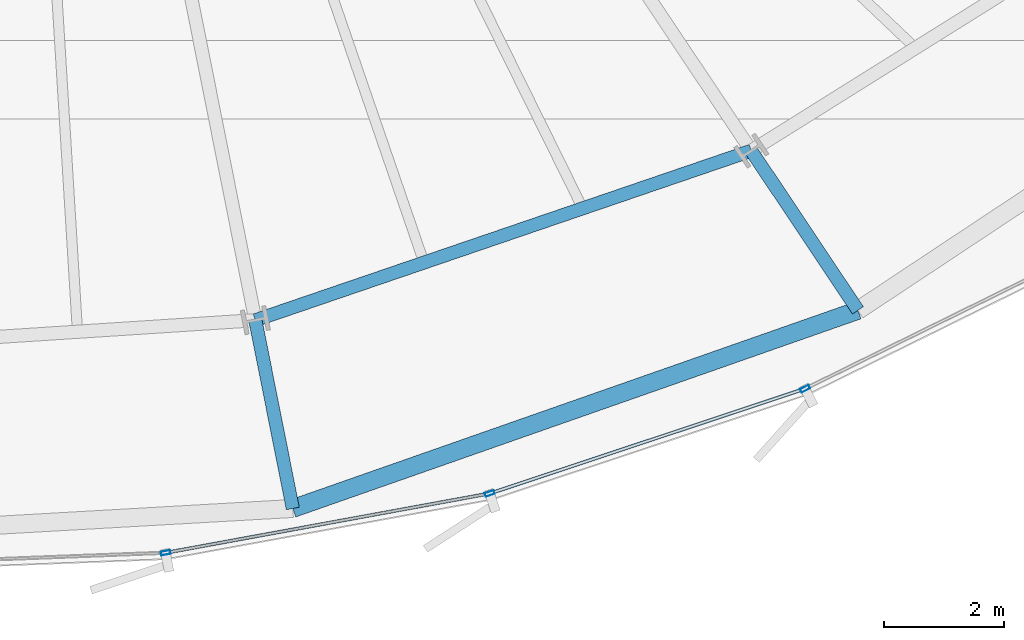
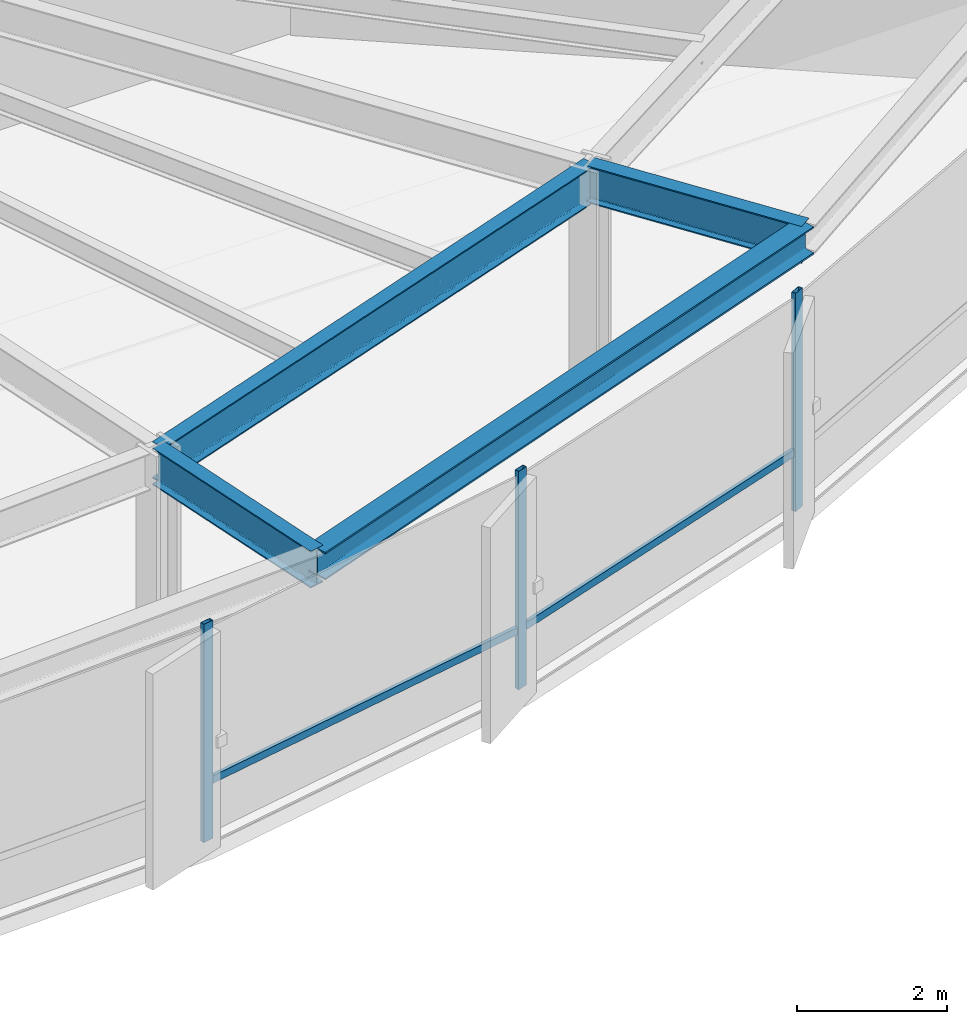
# One storey, part 11 of 37: 5 members, 4 beams, 1 element without a shape of its own.
"""IFC4 building model written with IfcOpenShell, lengths in metres."""

from ifc_helpers import new_model, si_unit, direction, frame, origin, origin_2d, place, context, subcontext, project, spatial, hollow_rectangle, i_section, extrude, source, transform, mapped, material, layer, layer_set, material_profile, profile_set, type_object, element, aggregate, save


model = new_model("IFC4")

# Units and contexts
model_context = context("Model", 3, precision=1e-05, world=origin(), true_north=direction((0.0, 1.0)))
body_context = subcontext(model_context, "Body", "Model", "MODEL_VIEW")
ifc_project = project(units=[si_unit("LENGTHUNIT", "METRE"), si_unit("AREAUNIT", "SQUARE_METRE"), si_unit("VOLUMEUNIT", "CUBIC_METRE"), si_unit("PLANEANGLEUNIT", "RADIAN"), si_unit("MASSUNIT", "GRAM", prefix="KILO"), si_unit("THERMODYNAMICTEMPERATUREUNIT", "KELVIN")], contexts=[model_context])

# Site, building, storey
site_placement = place(None, origin())
site = spatial("IfcSite", under=ifc_project, at=site_placement, CompositionType="ELEMENT")
building_placement = place(site_placement, origin())
building = spatial("IfcBuilding", under=site, at=building_placement, Name="Kethvar Cultural Tower", CompositionType="ELEMENT")
storey_placement = place(building_placement, frame((0.0, 0.0, 56.199951171875)))
storey = spatial("IfcBuildingStorey", under=building, at=storey_placement, Name="L13", CompositionType="ELEMENT", Elevation=56.199951171875)

# Beams
ifc_material_1 = material(Name="Steel S355J2", Category="steel")
ifc_material_profile_1 = material_profile(ifc_material_1, i_section(OverallWidth=0.219970703125, OverallDepth=0.60009765625, WebThickness=0.011962890625, FlangeThickness=0.01904296875, FilletRadius=0.02392578125, at=origin_2d()), Name="Steel S355J2 — IPE600")
ifc_profile_set_1 = profile_set([ifc_material_profile_1], Name="Steel S355J2 — IPE600")
beam_type_1 = type_object("IfcBeamType", Name="BM-IPE600", PredefinedType="BEAM", material=ifc_profile_set_1)
shared_shape_1 = source(origin(), body_context, "Body", "SweptSolid", [
    extrude(i_section(OverallWidth=0.219970703125, OverallDepth=0.60009765625, WebThickness=0.011962890625, FlangeThickness=0.01904296875, FilletRadius=0.02392578125, at=origin_2d()), origin(), (0.0, 0.0, 1.0), 3.199951171875),
])
for number, where, z_axis, x_axis, name in (
    (1, (51.10400390625, 6.16259765625, 3.248046875), (0.195088965533, -0.980785550224, 0.0), (0.980785550224, 0.195088965533, 0.0), "L13 Perimeter Cantilever Beam RC-13"),
    (2, (59.370361328125, 8.987060546875, 3.248046875), (0.555580212716, -0.831462943996, 0.0), (0.831462943996, 0.555580212716, 0.0), "L13 Perimeter Cantilever Beam RC-14"),
):
    element("IfcBeam", number, at=place(storey_placement, frame(where, z_axis=z_axis, x_axis=x_axis)), inside=storey, type_object=beam_type_1, Name=name, PredefinedType="BEAM", context=body_context, shape_type="MappedRepresentation", body=[
        mapped(shared_shape_1, transform((0.0, 0.0, 0.0), scale=1.0)),
    ])
shared_shape_2 = source(origin(), body_context, "Body", "SweptSolid", [
    extrude(i_section(OverallWidth=0.219970703125, OverallDepth=0.60009765625, WebThickness=0.011962890625, FlangeThickness=0.01904296875, FilletRadius=0.02392578125, at=origin_2d()), origin(), (0.0, 0.0, 1.0), 8.735595703125),
])
beam_1_placement = place(storey_placement, frame((51.10400390625, 6.16259765625, 3.248046875), z_axis=(0.946286676119, 0.323328821171, 0.0), x_axis=(-0.323328821171, 0.946286676119, 0.0)))
element("IfcBeam", 3, at=beam_1_placement, inside=storey, type_object=beam_type_1, Name="L13 Column Ring Tie Beam CR-13", PredefinedType="BEAM", context=body_context, shape_type="MappedRepresentation", body=[
    mapped(shared_shape_2, transform((0.0, 0.0, 0.0), scale=1.0)),
])
ifc_material_profile_2 = material_profile(ifc_material_1, i_section(OverallWidth=0.300048828125, OverallDepth=0.449951171875, WebThickness=0.013916015625, FlangeThickness=0.02587890625, FilletRadius=0.027099609375, at=origin_2d()), Name="Steel S355J2 — HEB450")
ifc_profile_set_2 = profile_set([ifc_material_profile_2], Name="Steel S355J2 — HEB450")
beam_type_2 = type_object("IfcBeamType", Name="BM-SP450", PredefinedType="SPANDREL", material=ifc_profile_set_2)
shared_shape_3 = source(origin(), body_context, "Body", "SweptSolid", [
    extrude(i_section(OverallWidth=0.300048828125, OverallDepth=0.449951171875, WebThickness=0.013916015625, FlangeThickness=0.02587890625, FilletRadius=0.027099609375, at=origin_2d()), origin(), (0.0, 0.0, 1.0), 9.98193359375),
])
beam_2_placement = place(storey_placement, frame((51.728271484375, 3.024169921875, 3.322998046875), z_axis=(0.943693514159, 0.330821026138, 0.0), x_axis=(-0.330821026138, 0.943693514159, 0.0)))
element("IfcBeam", 4, at=beam_2_placement, inside=storey, type_object=beam_type_2, Name="L13 Perimeter Spandrel Beam SP-13", PredefinedType="SPANDREL", context=body_context, shape_type="MappedRepresentation", body=[
    mapped(shared_shape_3, transform((0.0, 0.0, 0.0), scale=1.0)),
])

# Curtain wall, members
ifc_material_2 = material(Name="Aluminium 6063-T6", Category="aluminium")
ifc_layer = layer(ifc_material_2, 0.179931640625, Name="Aluminium 6063-T6", Category="aluminium")
ifc_layer_set = layer_set([ifc_layer], Name="Aluminium 6063-T6 (180 mm)")
curtain_wall_type = type_object("IfcCurtainWallType", Name="CW-SYS-02-Z1", PredefinedType="NOTDEFINED", material=ifc_layer_set)
curtain_wall_placement = place(storey_placement, origin())
curtain_wall = element("IfcCurtainWall", 5, at=curtain_wall_placement, inside=storey, type_object=curtain_wall_type, Name="L13 Curtain Wall Run 06", PredefinedType="NOTDEFINED")
ifc_material_profile_3 = material_profile(ifc_material_2, hollow_rectangle(XDim=0.06494140625, YDim=0.159912109375, WallThickness=0.0048828125, at=origin_2d()), Name="Aluminium 6063-T6 — RHS160x65x5")
ifc_profile_set_3 = profile_set([ifc_material_profile_3], Name="Aluminium 6063-T6 — RHS160x65x5")
member_type_1 = type_object("IfcMemberType", Name="CW-SYS-02-Z1-MUL", PredefinedType="MULLION", material=ifc_profile_set_3)
shared_shape_4 = source(origin(), body_context, "Body", "SweptSolid", [
    extrude(hollow_rectangle(XDim=0.06494140625, YDim=0.159912109375, WallThickness=0.0048828125, at=origin_2d()), origin(), (0.0, 0.0, 1.0), 3.550048828125),
])
member_1_placement = place(storey_placement, frame((49.6083984375, 2.28515625, 0.0), z_axis=(0.0, 0.0, 1.0), x_axis=(-0.180158635361, 0.98363756847, 0.0)))
member_1 = element("IfcMember", 6, at=member_1_placement, type_object=member_type_1, Name="CW-L13-R06 Mullion 2", PredefinedType="MULLION", context=body_context, shape_type="MappedRepresentation", body=[
    mapped(shared_shape_4, transform((0.0, 0.0, 0.0), scale=1.0)),
])
member_2_placement = place(storey_placement, frame((55.00927734375, 3.273193359375, 0.0), z_axis=(0.0, 0.0, 1.0), x_axis=(-0.315417173378, 0.948953110927, 0.0)))
member_2 = element("IfcMember", 7, at=member_2_placement, type_object=member_type_1, Name="CW-L13-R06 Mullion 3", PredefinedType="MULLION", context=body_context, shape_type="MappedRepresentation", body=[
    mapped(shared_shape_4, transform((0.0, 0.0, 0.0), scale=1.0)),
])
member_3_placement = place(storey_placement, frame((60.26708984375, 5.019775390625, 0.0), z_axis=(0.0, 0.0, 1.0), x_axis=(-0.442210421623, 0.896911335087, 0.0)))
member_3 = element("IfcMember", 8, at=member_3_placement, type_object=member_type_1, Name="CW-L13-R06 Mullion 4", PredefinedType="MULLION", context=body_context, shape_type="MappedRepresentation", body=[
    mapped(shared_shape_4, transform((0.0, 0.0, 0.0), scale=1.0)),
])
ifc_material_profile_4 = material_profile(ifc_material_2, hollow_rectangle(XDim=0.054931640625, YDim=0.1201171875, WallThickness=0.00390625, at=origin_2d()), Name="Aluminium 6063-T6 — RHS120x55x4")
ifc_profile_set_4 = profile_set([ifc_material_profile_4], Name="Aluminium 6063-T6 — RHS120x55x4")
member_type_2 = type_object("IfcMemberType", Name="CW-SYS-02-Z1-TRN", PredefinedType="USERDEFINED", material=ifc_profile_set_4)
shared_shape_5 = source(origin(), body_context, "Body", "SweptSolid", [
    extrude(hollow_rectangle(XDim=0.054931640625, YDim=0.1201171875, WallThickness=0.00390625, at=origin_2d()), origin(), (0.0, 0.0, 1.0), 5.413818359375),
])
member_4_placement = place(storey_placement, frame((49.654296875, 2.293701171875, 0.949951171875), z_axis=(0.983637471532, 0.180159164624, 0.0), x_axis=(-0.180159164624, 0.983637471532, 0.0)))
member_4 = element("IfcMember", 9, at=member_4_placement, type_object=member_type_2, Name="CW-L13-R06 Transom 2", ObjectType="TRANSOM", PredefinedType="USERDEFINED", context=body_context, shape_type="MappedRepresentation", body=[
    mapped(shared_shape_5, transform((0.0, 0.0, 0.0), scale=1.0)),
])
shared_shape_6 = source(origin(), body_context, "Body", "SweptSolid", [
    extrude(hollow_rectangle(XDim=0.054931640625, YDim=0.1201171875, WallThickness=0.00390625, at=origin_2d()), origin(), (0.0, 0.0, 1.0), 5.462890625),
])
member_5_placement = place(storey_placement, frame((55.0537109375, 3.2880859375, 0.949951171875), z_axis=(0.948951098029, 0.31542322925, 0.0), x_axis=(-0.31542322925, 0.948951098029, 0.0)))
member_5 = element("IfcMember", 10, at=member_5_placement, type_object=member_type_2, Name="CW-L13-R06 Transom 3", ObjectType="TRANSOM", PredefinedType="USERDEFINED", context=body_context, shape_type="MappedRepresentation", body=[
    mapped(shared_shape_6, transform((0.0, 0.0, 0.0), scale=1.0)),
])
aggregate(curtain_wall, [member_1, member_2, member_3, member_4, member_5])

save(model, "model.ifc")
